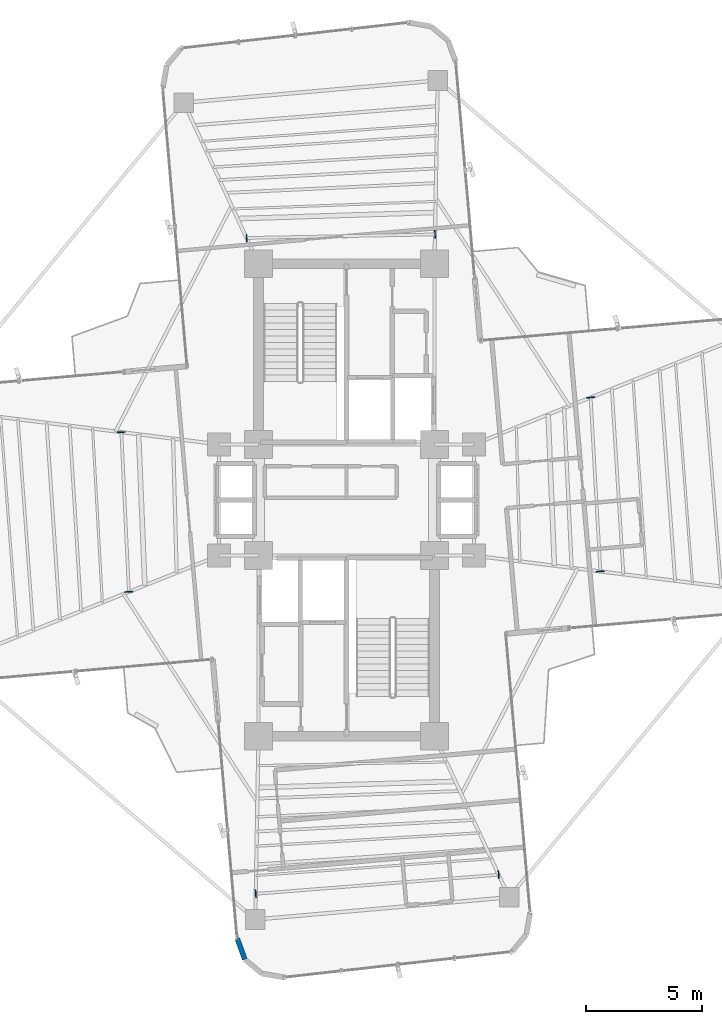
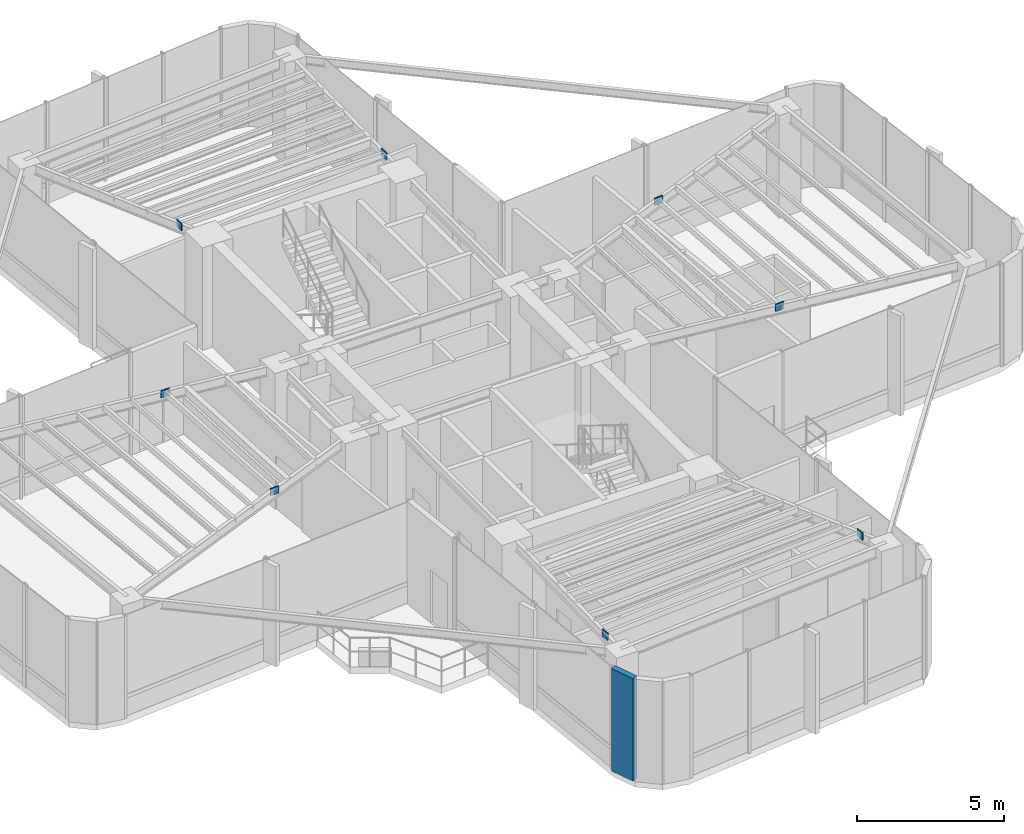
# One storey, part 15 of 19: 8 plates, 1 wall.
"""IFC4 building model written with IfcOpenShell, lengths in metres."""

from ifc_helpers import new_model, si_unit, direction, frame, frame_2d, origin, origin_2d, place, context, subcontext, project, spatial, rectangle, extrude, source, transform, mapped, material, layer, layer_set, type_object, element, save


model = new_model("IFC4")

# Units and contexts
model_context = context("Model", 3, precision=1e-05, world=origin(), true_north=direction((0.0, 1.0)))
body_context = subcontext(model_context, "Body", "Model", "MODEL_VIEW")
ifc_project = project(units=[si_unit("LENGTHUNIT", "METRE"), si_unit("AREAUNIT", "SQUARE_METRE"), si_unit("VOLUMEUNIT", "CUBIC_METRE"), si_unit("PLANEANGLEUNIT", "RADIAN"), si_unit("MASSUNIT", "GRAM", prefix="KILO")], contexts=[model_context])

# Site, building, storey
site_placement = place(None, origin())
site = spatial("IfcSite", under=ifc_project, at=site_placement, CompositionType="ELEMENT")
building_placement = place(site_placement, origin())
building = spatial("IfcBuilding", under=site, at=building_placement, Name="Sahyath Konkavel Grand Hotel", CompositionType="ELEMENT")
storey_placement = place(building_placement, frame((0.0, 0.0, 170.699951171875)))
storey = spatial("IfcBuildingStorey", under=building, at=storey_placement, Name="L47", CompositionType="ELEMENT", Elevation=170.699951171875)

# Plates
ifc_material_1 = material(Name="Steel E450", Category="steel")
plate_type = type_object("IfcPlateType", Name="GUSSET-END-35", PredefinedType="USERDEFINED", material=ifc_material_1)
shared_shape = source(origin(), body_context, "Body", "SweptSolid", [
    extrude(rectangle(XDim=0.0400390625, YDim=0.340087890625, at=origin_2d()), origin(), (0.0, 0.0, 1.0), 0.300048828125),
])
for number, where, z_axis, x_axis, name in (
    (1, (10.961669921875, -3.083740234375, 4.0), (0.0, 0.0, 1.0), (-0.056082894258, 0.99842611593, 0.0), "L47 Sub-Beam E-3 End Cap A"),
    (2, (10.539794921875, 4.42578125, 4.0), (0.0, 0.0, 1.0), (-0.056082894258, 0.99842611593, 0.0), "L47 Sub-Beam E-3 End Cap B"),
    (3, (-9.720458984375, 2.92822265625, 4.0), (0.0, 0.0, 1.0), (0.047228487778, -0.998884112368, 0.0), "L47 Sub-Beam W-2 End Cap A"),
    (4, (-9.394287109375, -3.965576171875, 4.0), (0.0, 0.0, 1.0), (0.047228487778, -0.998884112368, 0.0), "L47 Sub-Beam W-2 End Cap B"),
    (5, (3.82177734375, 11.4658203125, 4.0), (0.0, 0.0, 1.0), (-0.999822352381, -0.018848439715, 0.0), "L47 Sub-Beam N-1 End Cap A"),
    (6, (-4.3154296875, 11.3125, 4.0), (0.0, 0.0, 1.0), (-0.999822352381, -0.018848439715, 0.0), "L47 Sub-Beam N-1 End Cap B"),
    (7, (-3.917236328125, -17.00439453125, 4.0), (0.0, 0.0, 1.0), (0.996924176785, 0.07837209798, 0.0), "L47 Sub-Beam S-6 End Cap A"),
    (8, (6.57080078125, -16.1796875, 4.0), (0.0, 0.0, 1.0), (0.996924176785, 0.07837209798, 0.0), "L47 Sub-Beam S-6 End Cap B"),
):
    element("IfcPlate", number, at=place(storey_placement, frame(where, z_axis=z_axis, x_axis=x_axis)), inside=storey, type_object=plate_type, Name=name, ObjectType="GUSSET_PLATE", PredefinedType="USERDEFINED", context=body_context, shape_type="MappedRepresentation", body=[
        mapped(shared_shape, transform((0.0, 0.0, 0.0), scale=1.0)),
    ])

# Wall
ifc_material_2 = material(Name="Warm Buff Sandstone Insulated Concrete C40/50", Category="masonry")
ifc_layer = layer(ifc_material_2, 0.219970703125)
ifc_layer_set = layer_set([ifc_layer], Name="Warm Buff Sandstone Insulated Concrete C40/50")
wall_type = type_object("IfcWallType", Name="WLL-BALC-THRESH", PredefinedType="STANDARD", material=ifc_layer_set)
wall_placement = place(storey_placement, frame((-4.7177734375, -18.93310546875, 0.0), z_axis=(0.0, 0.0, 1.0), x_axis=(0.34188635151, -0.939741306239, 0.0)))
element("IfcWall", 9, at=wall_placement, inside=storey, type_object=wall_type, Name="L47 Rounded Corner Sandstone Pier 25", PredefinedType="STANDARD", context=body_context, shape_type="SweptSolid", body=[
    extrude(rectangle(XDim=0.95751953125, YDim=0.219970703125, at=frame_2d((0.478759765625, 0.0))), origin(), (0.0, 0.0, 1.0), 4.260009765625),
])

save(model, "model.ifc")
